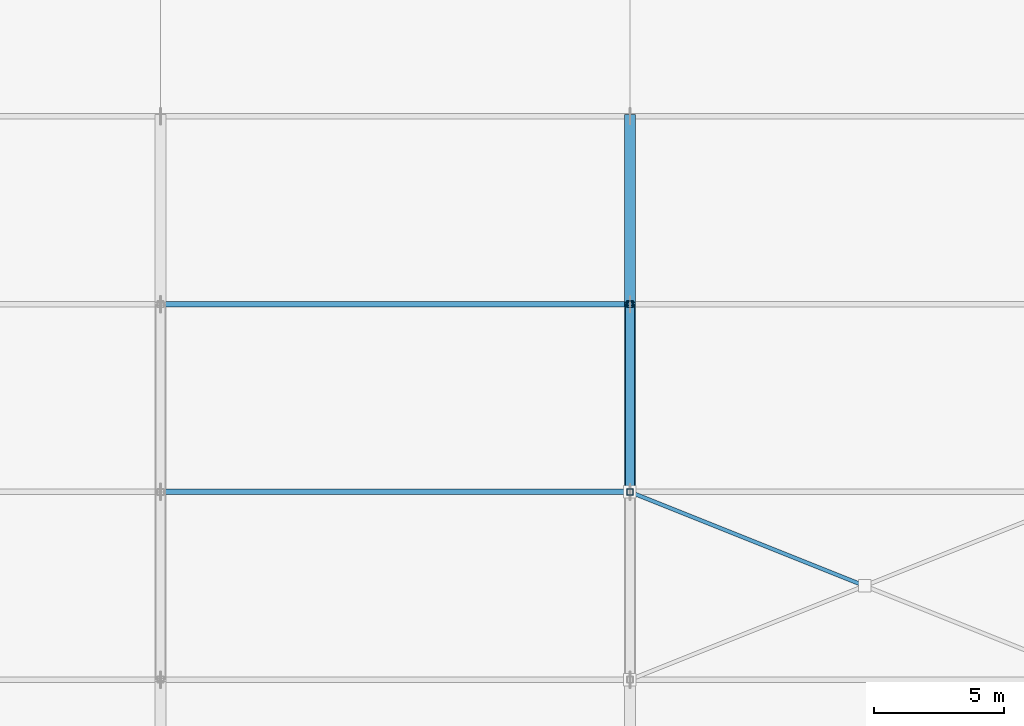
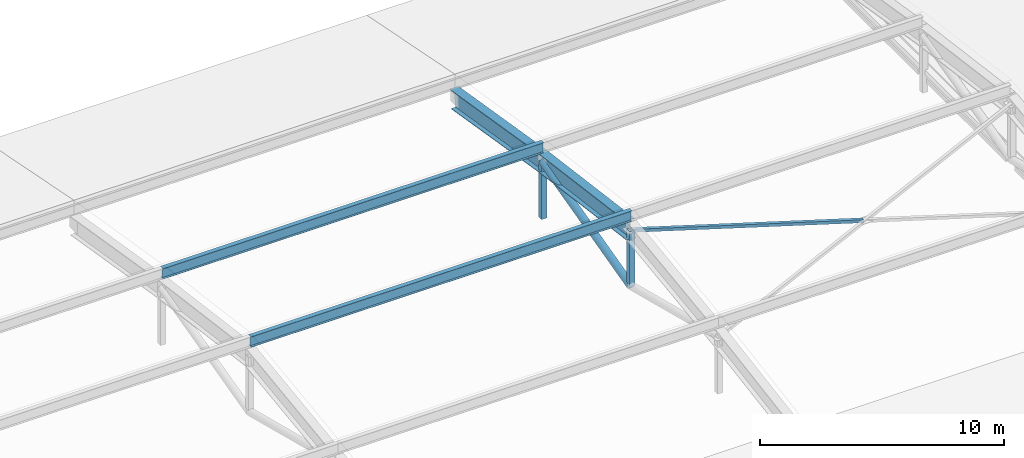
# One storey, part 20 of 78: 8 members.
"""IFC4 building model written with IfcOpenShell, lengths in metres."""

from ifc_helpers import new_model, si_unit, direction, frame, origin, origin_2d, place, context, subcontext, project, spatial, hollow_rectangle, hollow_circle, i_section, extrude, material, material_profile, profile_set, type_object, element, save


model = new_model("IFC4")

# Units and contexts
model_context = context("Model", 3, precision=1e-05, world=origin(), true_north=direction((0.0, 1.0)))
body_context = subcontext(model_context, "Body", "Model", "MODEL_VIEW")
ifc_project = project(units=[si_unit("LENGTHUNIT", "METRE"), si_unit("AREAUNIT", "SQUARE_METRE"), si_unit("VOLUMEUNIT", "CUBIC_METRE"), si_unit("PLANEANGLEUNIT", "RADIAN"), si_unit("MASSUNIT", "GRAM", prefix="KILO")], contexts=[model_context])

# Site, building, storey
site_placement = place(None, origin())
site = spatial("IfcSite", under=ifc_project, at=site_placement, CompositionType="ELEMENT")
building_placement = place(site_placement, origin())
building = spatial("IfcBuilding", under=site, at=building_placement, Name="Celestram Park Convention Centre", CompositionType="ELEMENT")
storey_placement = place(building_placement, frame((0.0, 0.0, 19.800048828125)))
storey = spatial("IfcBuildingStorey", under=building, at=storey_placement, Name="L04", CompositionType="ELEMENT", Elevation=19.800048828125)

# Members
ifc_material_1 = material(Name="Steel ASTM A500 Grade C", Category="steel")
ifc_material_profile_1 = material_profile(ifc_material_1, hollow_circle(Radius=0.177978515625, WallThickness=0.011962890625, at=origin_2d()), Name="CHS356X12")
ifc_profile_set_1 = profile_set([ifc_material_profile_1], Name="Steel ASTM A500 Grade C")
member_type_1 = type_object("IfcMemberType", Name="STR-BRC-CHS356", PredefinedType="BRACE", material=ifc_profile_set_1)
member_1_placement = place(storey_placement, frame((108.0, 64.800048828125, -0.171630859375), z_axis=(0.0, 0.968804355336, 0.247826796536), x_axis=(-1.0, 0.0, 0.0)))
element("IfcMember", 1, at=member_1_placement, inside=storey, type_object=member_type_1, Name="V1 arch web diagonal", PredefinedType="BRACE", context=body_context, shape_type="SweptSolid", body=[
    extrude(hollow_circle(Radius=0.177978515625, WallThickness=0.011962890625, at=origin_2d()), origin(), (0.0, 0.0, 1.0), 7.431884765625),
])
ifc_material_profile_2 = material_profile(ifc_material_1, hollow_rectangle(XDim=0.14990234375, YDim=0.14990234375, WallThickness=0.008056640625, at=origin_2d()), Name="HSS150X150X8")
ifc_profile_set_2 = profile_set([ifc_material_profile_2], Name="Steel ASTM A500 Grade C")
member_type_2 = type_object("IfcMemberType", Name="STR-BRC-HSS150", PredefinedType="BRACE", material=ifc_profile_set_2)
member_2_placement = place(storey_placement, frame((116.921142578125, 61.2314453125, 2.125), z_axis=(-0.927339660699, 0.370951091115, 0.049360325116), x_axis=(-0.37140381892, -0.928471433751, 0.0)))
element("IfcMember", 2, at=member_2_placement, inside=storey, type_object=member_type_2, Name="Roof lateral split wind X-brace upper half", PredefinedType="BRACE", context=body_context, shape_type="SweptSolid", body=[
    extrude(hollow_rectangle(XDim=0.14990234375, YDim=0.14990234375, WallThickness=0.008056640625, at=origin_2d()), origin(), (0.0, 0.0, 1.0), 9.6201171875),
])
ifc_material_2 = material(Name="Steel ASTM A992 Grade 50", Category="steel")
ifc_material_profile_3 = material_profile(ifc_material_2, i_section(OverallWidth=0.4189453125, OverallDepth=0.927001953125, WebThickness=0.019287109375, FlangeThickness=0.031982421875, at=origin_2d()), Name="W36X231")
ifc_profile_set_3 = profile_set([ifc_material_profile_3], Name="Steel ASTM A992 Grade 50")
member_type_3 = type_object("IfcMemberType", Name="STR-CHD-W36X231", PredefinedType="CHORD", material=ifc_profile_set_3)
member_3_placement = place(storey_placement, frame((108.0, 64.800048828125, 2.62841796875), z_axis=(0.0, 0.991259283276, -0.131928136952), x_axis=(-1.0, 0.0, 0.0)))
element("IfcMember", 3, at=member_3_placement, inside=storey, type_object=member_type_3, Name="V1 arch top chord", PredefinedType="CHORD", context=body_context, shape_type="SweptSolid", body=[
    extrude(i_section(OverallWidth=0.4189453125, OverallDepth=0.927001953125, WebThickness=0.019287109375, FlangeThickness=0.031982421875, at=origin_2d()), origin(), (0.0, 0.0, 1.0), 7.263427734375),
])
member_4_placement = place(storey_placement, frame((108.0, 72.0, 1.670166015625), z_axis=(0.0, 0.986648621514, -0.162863432557), x_axis=(-1.0, 0.0, 0.0)))
element("IfcMember", 4, at=member_4_placement, inside=storey, type_object=member_type_3, Name="V1 arch top chord", PredefinedType="CHORD", context=body_context, shape_type="SweptSolid", body=[
    extrude(i_section(OverallWidth=0.4189453125, OverallDepth=0.927001953125, WebThickness=0.019287109375, FlangeThickness=0.031982421875, at=origin_2d()), origin(), (0.0, 0.0, 1.0), 7.29736328125),
])
ifc_material_profile_4 = material_profile(ifc_material_2, i_section(OverallWidth=0.2099609375, OverallDepth=0.532958984375, WebThickness=0.01025390625, FlangeThickness=0.015625, at=origin_2d()), Name="W21X62")
ifc_profile_set_4 = profile_set([ifc_material_profile_4], Name="Steel ASTM A992 Grade 50")
member_type_4 = type_object("IfcMemberType", Name="STR-RFT-W21X62", PredefinedType="RAFTER", material=ifc_profile_set_4)
for number, where, z_axis, x_axis, name in (
    (5, (90.0, 64.800048828125, 3.3583984375), (1.0, 0.0, 0.0), (0.0, 1.0, 0.0), "V1 roof purlin"),
    (6, (90.0, 72.0, 2.400146484375), (1.0, 0.0, 0.0), (0.0, 1.0, 0.0), "V1 roof purlin"),
):
    element("IfcMember", number, at=place(storey_placement, frame(where, z_axis=z_axis, x_axis=x_axis)), inside=storey, type_object=member_type_4, Name=name, PredefinedType="RAFTER", context=body_context, shape_type="SweptSolid", body=[
        extrude(i_section(OverallWidth=0.2099609375, OverallDepth=0.532958984375, WebThickness=0.01025390625, FlangeThickness=0.015625, at=origin_2d()), origin(), (0.0, 0.0, 1.0), 18.0),
    ])
ifc_material_profile_5 = material_profile(ifc_material_1, hollow_rectangle(XDim=0.25, YDim=0.25, WallThickness=0.011962890625, at=origin_2d()), Name="HSS250X250X12")
ifc_profile_set_5 = profile_set([ifc_material_profile_5], Name="Steel ASTM A500 Grade C")
member_type_5 = type_object("IfcMemberType", Name="STR-STR-HSS250", PredefinedType="STRUT", material=ifc_profile_set_5)
for number, where, z_axis, x_axis, name in (
    (7, (108.0, 64.800048828125, -0.171630859375), (0.0, 0.0, 1.0), (1.0, 0.0, 0.0), "V1 arch vertical strut"),
    (8, (108.0, 72.0, -1.1298828125), (0.0, 0.0, 1.0), (1.0, 0.0, 0.0), "V1 arch vertical strut"),
):
    element("IfcMember", number, at=place(storey_placement, frame(where, z_axis=z_axis, x_axis=x_axis)), inside=storey, type_object=member_type_5, Name=name, PredefinedType="STRUT", context=body_context, shape_type="SweptSolid", body=[
        extrude(hollow_rectangle(XDim=0.25, YDim=0.25, WallThickness=0.011962890625, at=origin_2d()), origin(), (0.0, 0.0, 1.0), 2.800048828125),
    ])

save(model, "model.ifc")
